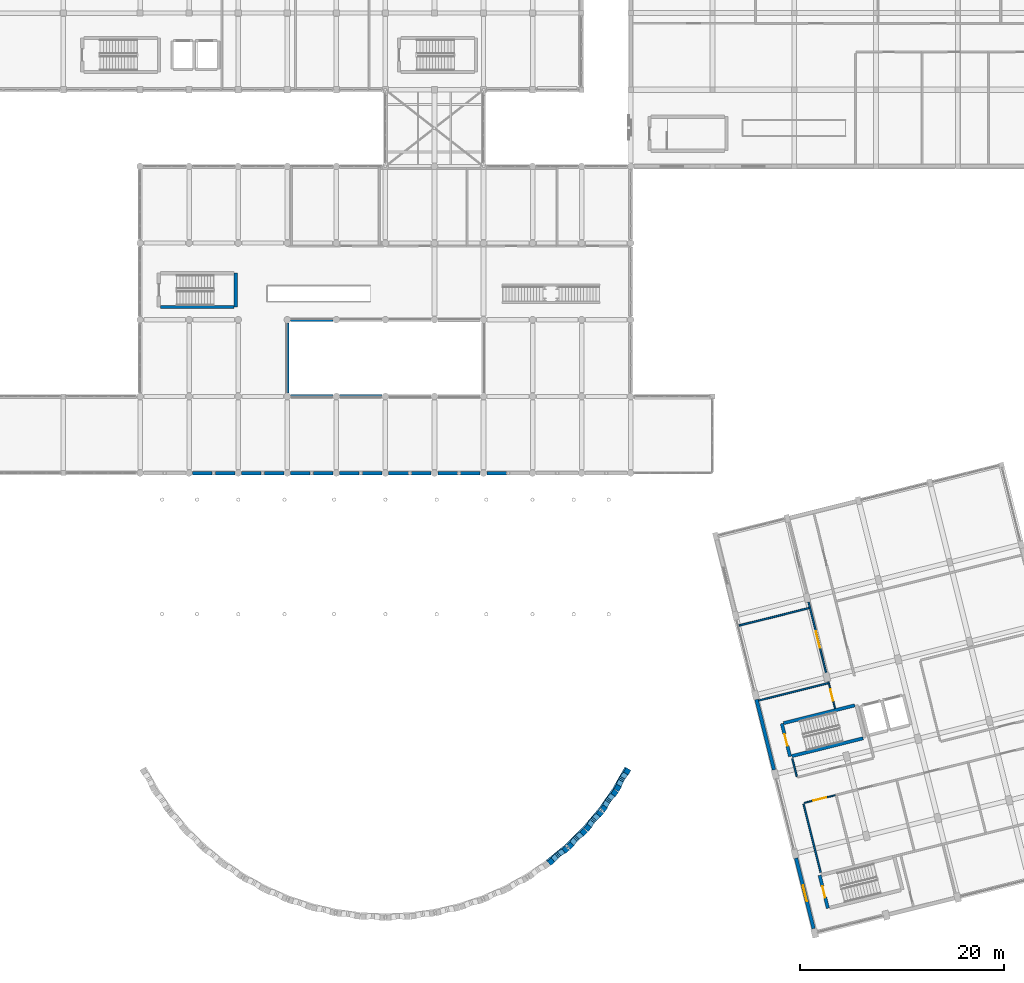
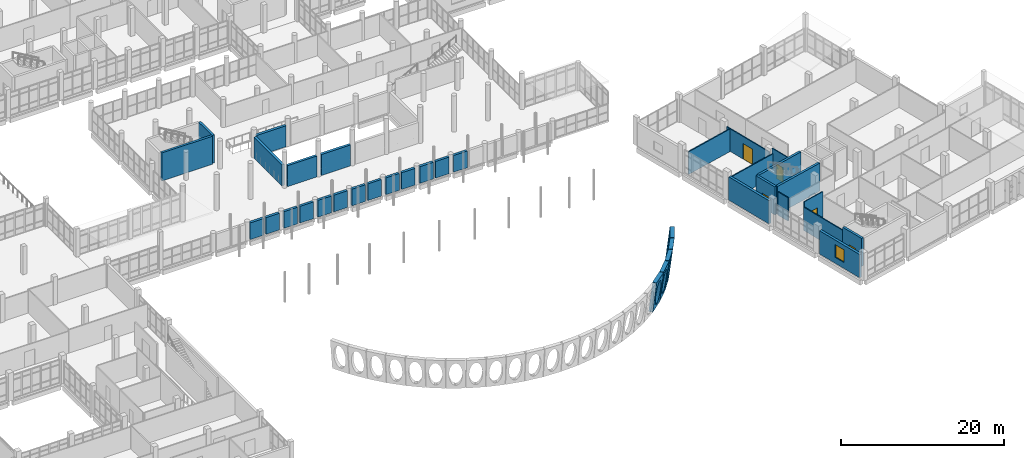
# One storey, part 142 of 164: 37 walls, 5 doors, 1 window, 11 openings.
"""IFC4 building model written with IfcOpenShell, lengths in metres."""

import ifcopenshell
import ifcopenshell.guid

model = None  # the IFC model being written
_history = None  # IfcOwnerHistory: only IFC2X3 demands one
_inside = {}  # id of a spatial element -> (the spatial element, [elements in it])
_under = {}  # id of a project, library or spatial element -> (it, [spatial elements below it])
_declared = {}  # id of a project -> (the project, [libraries it declares])
_typed = {}  # id of a type object -> (the type object, [elements of that type])
_made_of = {}  # id of a material, layer set ... -> (it, [elements and type objects made of it])


def new_model(schema):
    """Start an empty IFC model of exactly this schema.

    Asked for "IFC4X3", IfcOpenShell would pick the latest addendum, in which some entities
    have other attributes; the version numbers below select the first issue.
    IFC2X3 requires an IfcOwnerHistory on every rooted entity: one is made here for all.
    """
    global model, _history
    if schema == "IFC4X3":
        model = ifcopenshell.file(schema_version=(4, 3, 0, 0))
    else:
        model = ifcopenshell.file(schema=schema)
    _inside.clear()
    _under.clear()
    _declared.clear()
    _typed.clear()
    _made_of.clear()
    _history = None
    if model.schema == "IFC2X3":
        org = make("IfcOrganization", Name="unknown")
        user = make(
            "IfcPersonAndOrganization",
            ThePerson=make("IfcPerson", FamilyName="unknown"),
            TheOrganization=org,
        )
        app = make(
            "IfcApplication",
            ApplicationDeveloper=org,
            Version="unknown",
            ApplicationFullName="unknown",
            ApplicationIdentifier="unknown",
        )
        _history = make(
            "IfcOwnerHistory",
            OwningUser=user,
            OwningApplication=app,
            ChangeAction="ADDED",
            CreationDate=0,
        )
    return model


def make(cls, **values):
    """One entity of the class cls with the attributes given. An attribute that is None is left unset."""
    return model.create_entity(
        cls, **{name: value for name, value in values.items() if value is not None}
    )


def rooted(cls, **values):
    """An entity with a GlobalId (a new one), such as an element, a storey or a relation."""
    return make(cls, GlobalId=ifcopenshell.guid.new(), OwnerHistory=_history, **values)


def si_unit(unit_type, name, prefix=None):
    """IfcSIUnit, for example si_unit("LENGTHUNIT", "METRE", prefix="MILLI")."""
    return make("IfcSIUnit", UnitType=unit_type, Prefix=prefix, Name=name)


def assignment(units):
    """IfcUnitAssignment: the units of a project."""
    return None if units is None else make("IfcUnitAssignment", Units=units)


def point(xyz):
    """IfcCartesianPoint."""
    return None if xyz is None else make("IfcCartesianPoint", Coordinates=xyz)


def direction(xyz):
    """IfcDirection."""
    return None if xyz is None else make("IfcDirection", DirectionRatios=xyz)


def frame(location, z_axis=None, x_axis=None):
    """IfcAxis2Placement3D, a coordinate frame: its origin and axes. An axis left out is left unset."""
    return make(
        "IfcAxis2Placement3D",
        Location=point(location),
        Axis=direction(z_axis),
        RefDirection=direction(x_axis),
    )


def frame_2d(location, x_axis=None):
    """IfcAxis2Placement2D, a coordinate frame in the plane: its origin and x axis."""
    return make(
        "IfcAxis2Placement2D", Location=point(location), RefDirection=direction(x_axis)
    )


def origin():
    """The frame at (0, 0, 0) with its axes left unset."""
    return frame((0.0, 0.0, 0.0))


def place(relative_to, where):
    """IfcLocalPlacement: puts the frame where relative to a parent placement (None: the world)."""
    return make(
        "IfcLocalPlacement", PlacementRelTo=relative_to, RelativePlacement=where
    )


def context(
    kind, dimensions, precision=None, world=None, true_north=None, identifier=None
):
    """IfcGeometricRepresentationContext, for example the 3D "Model" context."""
    return make(
        "IfcGeometricRepresentationContext",
        ContextIdentifier=identifier,
        ContextType=kind,
        CoordinateSpaceDimension=dimensions,
        Precision=precision,
        WorldCoordinateSystem=world,
        TrueNorth=true_north,
    )


def subcontext(parent, identifier, kind, view, scale=None):
    """IfcGeometricRepresentationSubContext, for example "Body" below "Model"."""
    return make(
        "IfcGeometricRepresentationSubContext",
        ContextIdentifier=identifier,
        ContextType=kind,
        ParentContext=parent,
        TargetScale=scale,
        TargetView=view,
    )


def project(units=None, contexts=None):
    """IfcProject with its units and contexts."""
    return rooted(
        "IfcProject",
        Name="project",
        RepresentationContexts=contexts,
        UnitsInContext=assignment(units),
    )


def spatial(cls, under=None, at=None, **own):
    """A site, building, storey or space (cls), placed at a placement, below another one or the project."""
    s = rooted(cls, ObjectPlacement=at, **own)
    if under is not None:
        _under.setdefault(under.id(), (under, []))[1].append(s)
    return s


def polyline(points):
    """IfcPolyline through the points."""
    return make("IfcPolyline", Points=[point(p) for p in points])


def profile(cls, at=None, kind="AREA", **sizes):
    """A parametric profile (cls). Its sizes go by their IFC names, for example OverallWidth=200.0."""
    return make(cls, ProfileType=kind, Position=at, **sizes)


def rectangle(**sizes):
    """IfcRectangleProfileDef."""
    return profile("IfcRectangleProfileDef", **sizes)


def outline(outer, holes=None, kind="AREA"):
    """IfcArbitraryClosedProfileDef: a profile drawn as a closed curve; with holes, ...WithVoids."""
    if holes is None:
        return make("IfcArbitraryClosedProfileDef", ProfileType=kind, OuterCurve=outer)
    return make(
        "IfcArbitraryProfileDefWithVoids",
        ProfileType=kind,
        OuterCurve=outer,
        InnerCurves=holes,
    )


def extrude(swept, where, along, depth):
    """IfcExtrudedAreaSolid: the profile swept, set in the frame where, extruded along a direction by depth."""
    return make(
        "IfcExtrudedAreaSolid",
        SweptArea=swept,
        Position=where,
        ExtrudedDirection=direction(along),
        Depth=depth,
    )


def shape(context_of_items, identifier, shape_type, items):
    """IfcShapeRepresentation: the items that make up one representation, for example the "Body"."""
    return make(
        "IfcShapeRepresentation",
        ContextOfItems=context_of_items,
        RepresentationIdentifier=identifier,
        RepresentationType=shape_type,
        Items=items,
    )


def material(Name=None, Category=None):
    """IfcMaterial."""
    return make("IfcMaterial", Name=Name, Category=Category)


def layer(
    of_material, thickness, ventilated=None, Name=None, Category=None, Priority=None
):
    """IfcMaterialLayer: one layer of a wall or slab, of a material (None: an air gap)."""
    return make(
        "IfcMaterialLayer",
        Material=of_material,
        LayerThickness=thickness,
        IsVentilated=ventilated,
        Name=Name,
        Category=Category,
        Priority=Priority,
    )


def layer_set(layers, Name=None):
    """IfcMaterialLayerSet."""
    return make("IfcMaterialLayerSet", MaterialLayers=layers, LayerSetName=Name)


def made_of(thing, what):
    """Note that an element or type object is made of a material, layer set ...; save() writes the relation."""
    if what is not None:
        _made_of.setdefault(what.id(), (what, []))[1].append(thing)
    return thing


def type_object(cls, material=None, **own):
    """A type object (cls), such as IfcWallType, which elements share."""
    return made_of(rooted(cls, **own), material)


def element(
    cls,
    number,
    at=None,
    inside=None,
    cuts=None,
    type_object=None,
    material=None,
    context=None,
    identifier="Body",
    shape_type=None,
    held_by="IfcProductDefinitionShape",
    body=None,
    shapes=None,
    **own,
):
    """One element of the class cls, such as IfcWall. Its Tag is "e" and its number.

    at: its placement. inside: the storey or other place that contains it. cuts: it is an
    opening in that element (IfcRelVoidsElement). A single representation is given by context,
    identifier, shape_type and body (its items); several are given by shapes. held_by: the class
    of the entity that holds the representations. save() writes the other relations.
    """
    e = rooted(cls, Tag="e%d" % number, ObjectPlacement=at, **own)
    if body is not None:
        shapes = [shape(context, identifier, shape_type, body)]
    if shapes is not None:
        e.Representation = make(held_by, Representations=shapes)
    if inside is not None:
        _inside.setdefault(inside.id(), (inside, []))[1].append(e)
    if cuts is not None:
        rooted(
            "IfcRelVoidsElement", RelatingBuildingElement=cuts, RelatedOpeningElement=e
        )
    if type_object is not None:
        _typed.setdefault(type_object.id(), (type_object, []))[1].append(e)
    return made_of(e, material)


def fill(opening, filler):
    """IfcRelFillsElement: the door or window that sits in an opening."""
    return rooted(
        "IfcRelFillsElement",
        RelatingOpeningElement=opening,
        RelatedBuildingElement=filler,
    )


def aggregate(whole, parts):
    """IfcRelAggregates: a whole, such as a stair, and the parts it consists of."""
    return rooted("IfcRelAggregates", RelatingObject=whole, RelatedObjects=parts)


def save(model, path):
    """Write the relations noted so far, then the file.

    IfcRelAggregates (storeys below a building ...), IfcRelContainedInSpatialStructure (elements
    in a storey), IfcRelDefinesByType, IfcRelAssociatesMaterial and IfcRelDeclares: one each for
    every whole, place, type object, material and project.
    """
    for whole, parts in _under.values():
        aggregate(whole, parts)
    for where, things in _inside.values():
        rooted(
            "IfcRelContainedInSpatialStructure",
            RelatedElements=things,
            RelatingStructure=where,
        )
    for kind, things in _typed.values():
        rooted("IfcRelDefinesByType", RelatedObjects=things, RelatingType=kind)
    for what, things in _made_of.values():
        rooted("IfcRelAssociatesMaterial", RelatedObjects=things, RelatingMaterial=what)
    for by, libraries in _declared.values():
        rooted("IfcRelDeclares", RelatingContext=by, RelatedDefinitions=libraries)
    model.write(path)


model = new_model("IFC4")

# Units and contexts
model_context = context("Model", 3, precision=1e-05, world=origin(), true_north=direction((0.0, 1.0)))
body_context = subcontext(model_context, "Body", "Model", "MODEL_VIEW")
ifc_project = project(units=[si_unit("LENGTHUNIT", "METRE"), si_unit("AREAUNIT", "SQUARE_METRE"), si_unit("VOLUMEUNIT", "CUBIC_METRE"), si_unit("PLANEANGLEUNIT", "RADIAN"), si_unit("MASSUNIT", "GRAM", prefix="KILO")], contexts=[model_context])

# Site, building, storey
site_placement = place(None, origin())
site = spatial("IfcSite", under=ifc_project, at=site_placement, CompositionType="ELEMENT")
building_placement = place(site_placement, origin())
building = spatial("IfcBuilding", under=site, at=building_placement, Name="Mawjan Specialist Oncology Clinic", CompositionType="ELEMENT")
storey_placement = place(building_placement, frame((0.0, 0.0, 5.0)))
storey = spatial("IfcBuildingStorey", under=building, at=storey_placement, Name="L01", CompositionType="ELEMENT", Elevation=5.0)

# Wall, opening, window
ifc_material_1 = material(Name="Precast concrete C40/50", Category="concrete")
ifc_layer_1 = layer(ifc_material_1, 0.35009765625, Name="Precast concrete C40/50", Category="concrete")
ifc_layer_set_1 = layer_set([ifc_layer_1], Name="Precast concrete C40/50")
wall_type_1 = type_object("IfcWallType", Name="EW-350", PredefinedType="SOLIDWALL", material=ifc_layer_set_1)
wall_1_placement = place(storey_placement, frame((125.89111328125, 1.236572265625, 0.0), z_axis=(0.0, 0.0, 1.0), x_axis=(-0.241904492141, 0.97030006528, 0.0)))
wall_1 = element("IfcWall", 1, at=wall_1_placement, inside=storey, type_object=wall_type_1, Name="L01 Coral-Limestone Exterior Wall EW-L01-077", PredefinedType="SOLIDWALL", context=body_context, shape_type="SweptSolid", body=[
    extrude(rectangle(XDim=7.10009765625, YDim=0.35009765625, at=frame_2d((3.550048828125, 0.0))), origin(), (0.0, 0.0, 1.0), 3.485107421875),
])
opening_1_placement = place(wall_1_placement, frame((2.75, 0.0, 0.89990234375)))
opening_1 = element("IfcOpeningElement", 2, at=opening_1_placement, cuts=wall_1, Name="Opening WN-20", PredefinedType="OPENING", context=body_context, shape_type="SweptSolid", body=[
    extrude(rectangle(XDim=1.60009765625, YDim=1.89990234375, at=frame_2d((0.800048828125, 0.949951171875))), frame((0.0, 0.18701171875, 0.0), z_axis=(0.0, -1.0, 0.0), x_axis=(1.0, 0.0, 0.0)), (0.0, 0.0, 1.0), 0.3740234375),
])
ifc_material_2 = material(Name="Thermally broken low-E clinical aluminium window", Category="aluminium")
window_type = type_object("IfcWindowType", Name="WN-20", PartitioningType="DOUBLE_PANEL_VERTICAL", PredefinedType="WINDOW", material=ifc_material_2)
window_placement = place(opening_1_placement, origin())
window = element("IfcWindow", 3, at=window_placement, inside=storey, type_object=window_type, Name="L01 Clinical Low-E Window 012", OverallHeight=1.89990234375, OverallWidth=1.60009765625, PartitioningType="DOUBLE_PANEL_VERTICAL", PredefinedType="WINDOW", context=body_context, shape_type="SweptSolid", body=[
    extrude(rectangle(XDim=1.60009765625, YDim=1.89990234375, at=frame_2d((0.800048828125, 0.949951171875))), frame((0.0, 0.030029296875, 0.0), z_axis=(0.0, -1.0, 0.0), x_axis=(1.0, 0.0, 0.0)), (0.0, 0.0, 1.0), 0.06005859375),
])
fill(opening_1, window)

# Walls
wall_2_placement = place(storey_placement, frame((122.020263671875, 16.761474609375, 0.0), z_axis=(0.0, 0.0, 1.0), x_axis=(-0.241912563448, 0.970298052995, 0.0)))
element("IfcWall", 4, at=wall_2_placement, inside=storey, type_object=wall_type_1, Name="L01 Coral-Limestone Exterior Wall EW-L01-078", PredefinedType="SOLIDWALL", context=body_context, shape_type="SweptSolid", body=[
    extrude(rectangle(XDim=7.099853515625, YDim=0.35009765625, at=frame_2d((3.5498046875, 0.0))), origin(), (0.0, 0.0, 1.0), 3.485107421875),
])
for number, where, z_axis, x_axis, name in (
    (5, (95.837890625, 45.800048828125, 0.0), (0.0, 0.0, 1.0), (-1.0, 0.0, 0.0), "L01 Coral-Limestone Exterior Wall EW-L01-096"),
    (6, (93.27490234375, 45.800048828125, 0.0), (0.0, 0.0, 1.0), (-1.0, 0.0, 0.0), "L01 Coral-Limestone Exterior Wall EW-L01-097"),
):
    element("IfcWall", number, at=place(storey_placement, frame(where, z_axis=z_axis, x_axis=x_axis)), inside=storey, type_object=wall_type_1, Name=name, PredefinedType="SOLIDWALL", context=body_context, shape_type="SweptSolid", body=[
        extrude(rectangle(XDim=1.912841796875, YDim=0.35009765625, at=frame_2d((0.95654296875, 0.0))), origin(), (0.0, 0.0, 1.0), 2.5),
    ])
for number, where, z_axis, x_axis, name in (
    (7, (91.0380859375, 45.800048828125, 0.0), (0.0, 0.0, 1.0), (-1.0, 0.0, 0.0), "L01 Coral-Limestone Exterior Wall EW-L01-098"),
    (8, (88.47509765625, 45.800048828125, 0.0), (0.0, 0.0, 1.0), (-1.0, 0.0, 0.0), "L01 Coral-Limestone Exterior Wall EW-L01-099"),
    (9, (86.238037109375, 45.800048828125, 0.0), (0.0, 0.0, 1.0), (-1.0, 0.0, 0.0), "L01 Coral-Limestone Exterior Wall EW-L01-100"),
    (10, (83.675048828125, 45.800048828125, 0.0), (0.0, 0.0, 1.0), (-1.0, 0.0, 0.0), "L01 Coral-Limestone Exterior Wall EW-L01-101"),
    (11, (81.43798828125, 45.800048828125, 0.0), (0.0, 0.0, 1.0), (-1.0, 0.0, 0.0), "L01 Coral-Limestone Exterior Wall EW-L01-102"),
    (12, (78.875, 45.800048828125, 0.0), (0.0, 0.0, 1.0), (-1.0, 0.0, 0.0), "L01 Coral-Limestone Exterior Wall EW-L01-103"),
):
    element("IfcWall", number, at=place(storey_placement, frame(where, z_axis=z_axis, x_axis=x_axis)), inside=storey, type_object=wall_type_1, Name=name, PredefinedType="SOLIDWALL", context=body_context, shape_type="SweptSolid", body=[
        extrude(rectangle(XDim=1.9130859375, YDim=0.35009765625, at=frame_2d((0.95654296875, 0.0))), origin(), (0.0, 0.0, 1.0), 2.5),
    ])
wall_3_placement = place(storey_placement, frame((76.637939453125, 45.800048828125, 0.0), z_axis=(0.0, 0.0, 1.0), x_axis=(-1.0, 0.0, 0.0)))
element("IfcWall", 13, at=wall_3_placement, inside=storey, type_object=wall_type_1, Name="L01 Coral-Limestone Exterior Wall EW-L01-104", PredefinedType="SOLIDWALL", context=body_context, shape_type="SweptSolid", body=[
    extrude(rectangle(XDim=1.912841796875, YDim=0.35009765625, at=frame_2d((0.95654296875, 0.0))), origin(), (0.0, 0.0, 1.0), 2.5),
])
for number, where, z_axis, x_axis, name in (
    (14, (74.074951171875, 45.800048828125, 0.0), (0.0, 0.0, 1.0), (-1.0, 0.0, 0.0), "L01 Coral-Limestone Exterior Wall EW-L01-105"),
    (15, (71.838134765625, 45.800048828125, 0.0), (0.0, 0.0, 1.0), (-1.0, 0.0, 0.0), "L01 Coral-Limestone Exterior Wall EW-L01-106"),
):
    element("IfcWall", number, at=place(storey_placement, frame(where, z_axis=z_axis, x_axis=x_axis)), inside=storey, type_object=wall_type_1, Name=name, PredefinedType="SOLIDWALL", context=body_context, shape_type="SweptSolid", body=[
        extrude(rectangle(XDim=1.9130859375, YDim=0.35009765625, at=frame_2d((0.95654296875, 0.0))), origin(), (0.0, 0.0, 1.0), 2.5),
    ])
wall_4_placement = place(storey_placement, frame((69.27490234375, 45.800048828125, 0.0), z_axis=(0.0, 0.0, 1.0), x_axis=(-1.0, 0.0, 0.0)))
element("IfcWall", 16, at=wall_4_placement, inside=storey, type_object=wall_type_1, Name="L01 Coral-Limestone Exterior Wall EW-L01-107", PredefinedType="SOLIDWALL", context=body_context, shape_type="SweptSolid", body=[
    extrude(rectangle(XDim=1.912841796875, YDim=0.35009765625, at=frame_2d((0.95654296875, 0.0))), origin(), (0.0, 0.0, 1.0), 2.5),
])
wall_5_placement = place(storey_placement, frame((67.0380859375, 45.800048828125, 0.0), z_axis=(0.0, 0.0, 1.0), x_axis=(-1.0, 0.0, 0.0)))
element("IfcWall", 17, at=wall_5_placement, inside=storey, type_object=wall_type_1, Name="L01 Coral-Limestone Exterior Wall EW-L01-108", PredefinedType="SOLIDWALL", context=body_context, shape_type="SweptSolid", body=[
    extrude(rectangle(XDim=1.9130859375, YDim=0.35009765625, at=frame_2d((0.95654296875, 0.0))), origin(), (0.0, 0.0, 1.0), 2.5),
])
wall_6_placement = place(storey_placement, frame((74.39990234375, 60.47509765625, 0.0), z_axis=(0.0, 0.0, 1.0), x_axis=(0.0, -1.0, 0.0)))
element("IfcWall", 18, at=wall_6_placement, inside=storey, type_object=wall_type_1, Name="L01 Coral-Limestone Exterior Wall EW-L01-120", PredefinedType="SOLIDWALL", context=body_context, shape_type="SweptSolid", body=[
    extrude(rectangle(XDim=6.85009765625, YDim=0.35009765625, at=frame_2d((3.425048828125, 0.0))), origin(), (0.0, 0.0, 1.0), 3.139892578125),
])
wall_7_placement = place(storey_placement, frame((74.72509765625, 53.300048828125, 0.0), z_axis=(0.0, 0.0, 1.0), x_axis=(1.0, 0.0, 0.0)))
element("IfcWall", 19, at=wall_7_placement, inside=storey, type_object=wall_type_1, Name="L01 Coral-Limestone Exterior Wall EW-L01-121", PredefinedType="SOLIDWALL", context=body_context, shape_type="SweptSolid", body=[
    extrude(rectangle(XDim=4.14990234375, YDim=0.35009765625, at=frame_2d((2.074951171875, 0.0))), origin(), (0.0, 0.0, 1.0), 3.139892578125),
])
wall_8_placement = place(storey_placement, frame((79.52490234375, 53.300048828125, 0.0), z_axis=(0.0, 0.0, 1.0), x_axis=(1.0, 0.0, 0.0)))
element("IfcWall", 20, at=wall_8_placement, inside=storey, type_object=wall_type_1, Name="L01 Coral-Limestone Exterior Wall EW-L01-122", PredefinedType="SOLIDWALL", context=body_context, shape_type="SweptSolid", body=[
    extrude(rectangle(XDim=4.150146484375, YDim=0.35009765625, at=frame_2d((2.0751953125, 0.0))), origin(), (0.0, 0.0, 1.0), 3.139892578125),
])
wall_9_placement = place(storey_placement, frame((78.875, 60.800048828125, 0.0), z_axis=(0.0, 0.0, 1.0), x_axis=(-1.0, 0.0, 0.0)))
element("IfcWall", 21, at=wall_9_placement, inside=storey, type_object=wall_type_1, Name="L01 Coral-Limestone Exterior Wall EW-L01-129", PredefinedType="SOLIDWALL", context=body_context, shape_type="SweptSolid", body=[
    extrude(rectangle(XDim=4.14990234375, YDim=0.35009765625, at=frame_2d((2.074951171875, 0.0))), origin(), (0.0, 0.0, 1.0), 3.139892578125),
])

# Wall, opening
ifc_material_3 = material(Name="Concrete C45/55", Category="concrete")
ifc_layer_2 = layer(ifc_material_3, 0.550048828125, Name="Concrete C45/55", Category="concrete")
ifc_layer_set_2 = layer_set([ifc_layer_2], Name="Concrete C45/55")
wall_type_2 = type_object("IfcWallType", Name="EW-ARC550", PredefinedType="SOLIDWALL", material=ifc_layer_set_2)
wall_10_placement = place(storey_placement, frame((101.76708984375, 9.245361328125, 0.0), z_axis=(0.0, 0.0, 1.0), x_axis=(-0.77301973123, -0.634381978881, 0.0)))
wall_10 = element("IfcWall", 22, at=wall_10_placement, inside=storey, type_object=wall_type_2, Name="Curved Stone-Arc Wall L01 Chord 20", PredefinedType="SOLIDWALL", context=body_context, shape_type="SweptSolid", body=[
    extrude(outline(polyline([(-0.27490234375, 0.0), (0.27490234375, 0.0), (0.78759765625, 4.5), (0.23779296875, 4.5), (-0.27490234375, 0.0)])), frame((0.0, 0.0, 0.0), z_axis=(1.0, 0.0, 0.0), x_axis=(0.0, 1.0, 0.0)), (0.0, 0.0, 1.0), 2.40380859375),
])
opening_2_placement = place(wall_10_placement, origin())
element("IfcOpeningElement", 23, at=opening_2_placement, cuts=wall_10, Name="Elliptical sky opening 1", PredefinedType="OPENING", context=body_context, shape_type="SweptSolid", body=[
    extrude(outline(polyline([(2.0419921875, 2.25), (2.02587890625, 2.597900390625), (1.97802734375, 2.932373046875), (1.900390625, 3.240478515625), (1.7958984375, 3.5107421875), (1.66845703125, 3.732421875), (1.5234375, 3.897216796875), (1.36572265625, 3.998779296875), (1.201904296875, 4.032958984375), (1.0380859375, 3.998779296875), (0.88037109375, 3.897216796875), (0.735107421875, 3.732421875), (0.60791015625, 3.5107421875), (0.50341796875, 3.240478515625), (0.42578125, 2.932373046875), (0.3779296875, 2.597900390625), (0.36181640625, 2.25), (0.3779296875, 1.902099609375), (0.42578125, 1.567626953125), (0.50341796875, 1.259521484375), (0.60791015625, 0.9892578125), (0.735107421875, 0.767578125), (0.88037109375, 0.602783203125), (1.0380859375, 0.501220703125), (1.201904296875, 0.467041015625), (1.36572265625, 0.501220703125), (1.5234375, 0.602783203125), (1.66845703125, 0.767578125), (1.7958984375, 0.9892578125), (1.900390625, 1.259521484375), (1.97802734375, 1.567626953125), (2.02587890625, 1.902099609375), (2.0419921875, 2.25)])), frame((0.0, 0.8076171875, 0.0), z_axis=(0.0, -1.0, 0.0), x_axis=(1.0, 0.0, 0.0)), (0.0, 0.0, 1.0), 1.102783203125),
])

wall_11_placement = place(storey_placement, frame((103.5, 10.953857421875, 0.0), z_axis=(0.0, 0.0, 1.0), x_axis=(-0.711713192598, -0.702470164122, 0.0)))
wall_11 = element("IfcWall", 24, at=wall_11_placement, inside=storey, type_object=wall_type_2, Name="Curved Stone-Arc Wall L01 Chord 21", PredefinedType="SOLIDWALL", context=body_context, shape_type="SweptSolid", body=[
    extrude(outline(polyline([(-0.27490234375, 0.0), (0.27490234375, 0.0), (0.78759765625, 4.5), (0.23779296875, 4.5), (-0.27490234375, 0.0)])), frame((0.0, 0.0, 0.0), z_axis=(1.0, 0.0, 0.0), x_axis=(0.0, 1.0, 0.0)), (0.0, 0.0, 1.0), 2.403564453125),
])
opening_3_placement = place(wall_11_placement, origin())
element("IfcOpeningElement", 25, at=opening_3_placement, cuts=wall_11, Name="Elliptical sky opening 1", PredefinedType="OPENING", context=body_context, shape_type="SweptSolid", body=[
    extrude(outline(polyline([(2.0419921875, 2.25), (2.02587890625, 2.597900390625), (1.97802734375, 2.932373046875), (1.900390625, 3.240478515625), (1.7958984375, 3.5107421875), (1.66845703125, 3.732421875), (1.5234375, 3.897216796875), (1.36572265625, 3.998779296875), (1.201904296875, 4.032958984375), (1.0380859375, 3.998779296875), (0.88037109375, 3.897216796875), (0.735107421875, 3.732421875), (0.60791015625, 3.5107421875), (0.50341796875, 3.240478515625), (0.42578125, 2.932373046875), (0.3779296875, 2.597900390625), (0.36181640625, 2.25), (0.3779296875, 1.902099609375), (0.42578125, 1.567626953125), (0.50341796875, 1.259521484375), (0.60791015625, 0.9892578125), (0.735107421875, 0.767578125), (0.88037109375, 0.602783203125), (1.0380859375, 0.501220703125), (1.201904296875, 0.467041015625), (1.36572265625, 0.501220703125), (1.5234375, 0.602783203125), (1.66845703125, 0.767578125), (1.7958984375, 0.9892578125), (1.900390625, 1.259521484375), (1.97802734375, 1.567626953125), (2.02587890625, 1.902099609375), (2.0419921875, 2.25)])), frame((0.0, 0.8076171875, 0.0), z_axis=(0.0, -1.0, 0.0), x_axis=(1.0, 0.0, 0.0)), (0.0, 0.0, 1.0), 1.102783203125),
])

wall_12_placement = place(storey_placement, frame((105.069580078125, 12.81396484375, 0.0), z_axis=(0.0, 0.0, 1.0), x_axis=(-0.644529738011, -0.764579241687, 0.0)))
wall_12 = element("IfcWall", 26, at=wall_12_placement, inside=storey, type_object=wall_type_2, Name="Curved Stone-Arc Wall L01 Chord 22", PredefinedType="SOLIDWALL", context=body_context, shape_type="SweptSolid", body=[
    extrude(outline(polyline([(-0.27490234375, 0.0), (0.27490234375, 0.0), (0.78759765625, 4.5), (0.23779296875, 4.5), (-0.27490234375, 0.0)])), frame((0.0, 0.0, 0.0), z_axis=(1.0, 0.0, 0.0), x_axis=(0.0, 1.0, 0.0)), (0.0, 0.0, 1.0), 2.40380859375),
])
opening_4_placement = place(wall_12_placement, origin())
element("IfcOpeningElement", 27, at=opening_4_placement, cuts=wall_12, Name="Elliptical sky opening 1", PredefinedType="OPENING", context=body_context, shape_type="SweptSolid", body=[
    extrude(outline(polyline([(2.0419921875, 2.25), (2.02587890625, 2.597900390625), (1.97802734375, 2.932373046875), (1.900390625, 3.240478515625), (1.7958984375, 3.5107421875), (1.66845703125, 3.732421875), (1.5234375, 3.897216796875), (1.36572265625, 3.998779296875), (1.201904296875, 4.032958984375), (1.0380859375, 3.998779296875), (0.88037109375, 3.897216796875), (0.735107421875, 3.732421875), (0.60791015625, 3.5107421875), (0.50341796875, 3.240478515625), (0.42578125, 2.932373046875), (0.3779296875, 2.597900390625), (0.36181640625, 2.25), (0.3779296875, 1.902099609375), (0.42578125, 1.567626953125), (0.50341796875, 1.259521484375), (0.60791015625, 0.9892578125), (0.735107421875, 0.767578125), (0.88037109375, 0.602783203125), (1.0380859375, 0.501220703125), (1.201904296875, 0.467041015625), (1.36572265625, 0.501220703125), (1.5234375, 0.602783203125), (1.66845703125, 0.767578125), (1.7958984375, 0.9892578125), (1.900390625, 1.259521484375), (1.97802734375, 1.567626953125), (2.02587890625, 1.902099609375), (2.0419921875, 2.25)])), frame((0.0, 0.8076171875, 0.0), z_axis=(0.0, -1.0, 0.0), x_axis=(1.0, 0.0, 0.0)), (0.0, 0.0, 1.0), 1.102783203125),
])

wall_13_placement = place(storey_placement, frame((106.462158203125, 14.809814453125, 0.0), z_axis=(0.0, 0.0, 1.0), x_axis=(-0.571784376148, -0.820403941478, 0.0)))
wall_13 = element("IfcWall", 28, at=wall_13_placement, inside=storey, type_object=wall_type_2, Name="Curved Stone-Arc Wall L01 Chord 23", PredefinedType="SOLIDWALL", context=body_context, shape_type="SweptSolid", body=[
    extrude(outline(polyline([(-0.27490234375, 0.0), (0.27490234375, 0.0), (0.78759765625, 4.5), (0.23779296875, 4.5), (-0.27490234375, 0.0)])), frame((0.0, 0.0, 0.0), z_axis=(1.0, 0.0, 0.0), x_axis=(0.0, 1.0, 0.0)), (0.0, 0.0, 1.0), 2.40380859375),
])
opening_5_placement = place(wall_13_placement, origin())
element("IfcOpeningElement", 29, at=opening_5_placement, cuts=wall_13, Name="Elliptical sky opening 1", PredefinedType="OPENING", context=body_context, shape_type="SweptSolid", body=[
    extrude(outline(polyline([(2.0419921875, 2.25), (2.02587890625, 2.597900390625), (1.97802734375, 2.932373046875), (1.900390625, 3.240478515625), (1.7958984375, 3.5107421875), (1.66845703125, 3.732421875), (1.5234375, 3.897216796875), (1.36572265625, 3.998779296875), (1.201904296875, 4.032958984375), (1.0380859375, 3.998779296875), (0.88037109375, 3.897216796875), (0.735107421875, 3.732421875), (0.60791015625, 3.5107421875), (0.50341796875, 3.240478515625), (0.42578125, 2.932373046875), (0.3779296875, 2.597900390625), (0.36181640625, 2.25), (0.3779296875, 1.902099609375), (0.42578125, 1.567626953125), (0.50341796875, 1.259521484375), (0.60791015625, 0.9892578125), (0.735107421875, 0.767578125), (0.88037109375, 0.602783203125), (1.0380859375, 0.501220703125), (1.201904296875, 0.467041015625), (1.36572265625, 0.501220703125), (1.5234375, 0.602783203125), (1.66845703125, 0.767578125), (1.7958984375, 0.9892578125), (1.900390625, 1.259521484375), (1.97802734375, 1.567626953125), (2.02587890625, 1.902099609375), (2.0419921875, 2.25)])), frame((0.0, 0.8076171875, 0.0), z_axis=(0.0, -1.0, 0.0), x_axis=(1.0, 0.0, 0.0)), (0.0, 0.0, 1.0), 1.102783203125),
])

wall_14_placement = place(storey_placement, frame((107.666259765625, 16.924560546875, 0.0), z_axis=(0.0, 0.0, 1.0), x_axis=(-0.494311253671, -0.869284984625, 0.0)))
wall_14 = element("IfcWall", 30, at=wall_14_placement, inside=storey, type_object=wall_type_2, Name="Curved Stone-Arc Wall L01 Chord 24", PredefinedType="SOLIDWALL", context=body_context, shape_type="SweptSolid", body=[
    extrude(outline(polyline([(-0.27490234375, 0.0), (0.27490234375, 0.0), (0.78759765625, 4.5), (0.23779296875, 4.5), (-0.27490234375, 0.0)])), frame((0.0, 0.0, 0.0), z_axis=(1.0, 0.0, 0.0), x_axis=(0.0, 1.0, 0.0)), (0.0, 0.0, 1.0), 2.40380859375),
])
opening_6_placement = place(wall_14_placement, origin())
element("IfcOpeningElement", 31, at=opening_6_placement, cuts=wall_14, Name="Elliptical sky opening 1", PredefinedType="OPENING", context=body_context, shape_type="SweptSolid", body=[
    extrude(outline(polyline([(2.0419921875, 2.25), (2.02587890625, 2.597900390625), (1.97802734375, 2.932373046875), (1.900390625, 3.240478515625), (1.7958984375, 3.5107421875), (1.66845703125, 3.732421875), (1.5234375, 3.897216796875), (1.36572265625, 3.998779296875), (1.201904296875, 4.032958984375), (1.0380859375, 3.998779296875), (0.88037109375, 3.897216796875), (0.735107421875, 3.732421875), (0.60791015625, 3.5107421875), (0.50341796875, 3.240478515625), (0.42578125, 2.932373046875), (0.3779296875, 2.597900390625), (0.36181640625, 2.25), (0.3779296875, 1.902099609375), (0.42578125, 1.567626953125), (0.50341796875, 1.259521484375), (0.60791015625, 0.9892578125), (0.735107421875, 0.767578125), (0.88037109375, 0.602783203125), (1.0380859375, 0.501220703125), (1.201904296875, 0.467041015625), (1.36572265625, 0.501220703125), (1.5234375, 0.602783203125), (1.66845703125, 0.767578125), (1.7958984375, 0.9892578125), (1.900390625, 1.259521484375), (1.97802734375, 1.567626953125), (2.02587890625, 1.902099609375), (2.0419921875, 2.25)])), frame((0.0, 0.8076171875, 0.0), z_axis=(0.0, -1.0, 0.0), x_axis=(1.0, 0.0, 0.0)), (0.0, 0.0, 1.0), 1.102783203125),
])

# Walls
ifc_material_4 = material(Name="Concrete C45/55", Category="concrete")
ifc_layer_3 = layer(ifc_material_4, 0.320068359375, Name="Concrete C45/55", Category="concrete")
ifc_layer_set_3 = layer_set([ifc_layer_3], Name="Concrete C45/55")
wall_type_3 = type_object("IfcWallType", Name="SW-350", PredefinedType="SHEAR", material=ifc_layer_set_3)
for number, where, z_axis, x_axis, name in (
    (32, (123.75048828125, 18.10986328125, 0.0), (0.0, 0.0, 1.0), (0.970294108333, 0.241928384724, 0.0), "L01 Core K5 Stair Shear Wall 1"),
    (33, (129.923828125, 23.07080078125, 0.0), (0.0, 0.0, 1.0), (-0.970294108333, -0.241928384724, 0.0), "L01 Core K5 Stair Shear Wall 3"),
):
    element("IfcWall", number, at=place(storey_placement, frame(where, z_axis=z_axis, x_axis=x_axis)), inside=storey, type_object=wall_type_3, Name=name, PredefinedType="SHEAR", context=body_context, shape_type="SweptSolid", body=[
        extrude(rectangle(XDim=7.190185546875, YDim=0.320068359375, at=frame_2d((3.59521484375, 0.0))), origin(), (0.0, 0.0, 1.0), 4.199951171875),
    ])

# Wall, opening, door
wall_15_placement = place(storey_placement, frame((122.787353515625, 21.29150390625, 0.0), z_axis=(0.0, 0.0, 1.0), x_axis=(0.241860763027, -0.970310966293, 0.0)))
wall_15 = element("IfcWall", 34, at=wall_15_placement, inside=storey, type_object=wall_type_3, Name="L01 Core K5 Stair Shear Wall 4", PredefinedType="SHEAR", context=body_context, shape_type="SweptSolid", body=[
    extrude(rectangle(XDim=3.320068359375, YDim=0.320068359375, at=frame_2d((1.66015625, 0.0))), origin(), (0.0, 0.0, 1.0), 4.199951171875),
])
opening_7_placement = place(wall_15_placement, frame((1.0849609375, 0.0, 0.0)))
opening_7 = element("IfcOpeningElement", 35, at=opening_7_placement, cuts=wall_15, Name="Opening FD-90", PredefinedType="OPENING", context=body_context, shape_type="SweptSolid", body=[
    extrude(rectangle(XDim=1.14990234375, YDim=2.14990234375, at=frame_2d((0.574951171875, 1.074951171875))), frame((0.0, 0.172119140625, 0.0), z_axis=(0.0, -1.0, 0.0), x_axis=(1.0, 0.0, 0.0)), (0.0, 0.0, 1.0), 0.343994140625),
])
ifc_material_5 = material(Name="Stainless-steel fire-rated hospital door", Category="steel")
door_type_1 = type_object("IfcDoorType", Name="FD-90", OperationType="NOTDEFINED", PredefinedType="DOOR", material=ifc_material_5)
door_1_placement = place(opening_7_placement, origin())
door_1 = element("IfcDoor", 36, at=door_1_placement, inside=storey, type_object=door_type_1, Name="L01 ST-05 Fire Exit Stair Door", OperationType="SINGLE_SWING_RIGHT", OverallHeight=2.14990234375, OverallWidth=1.14990234375, PredefinedType="DOOR", context=body_context, shape_type="SweptSolid", body=[
    extrude(rectangle(XDim=1.14990234375, YDim=2.14990234375, at=frame_2d((0.574951171875, 1.074951171875))), frame((0.0, 0.02490234375, 0.0), z_axis=(0.0, -1.0, 0.0), x_axis=(1.0, 0.0, 0.0)), (0.0, 0.0, 1.0), 0.050048828125),
])
fill(opening_7, door_1)

wall_16_placement = place(storey_placement, frame((126.488525390625, 6.44580078125, 0.0), z_axis=(0.0, 0.0, 1.0), x_axis=(0.241947258837, -0.970289402158, 0.0)))
wall_16 = element("IfcWall", 37, at=wall_16_placement, inside=storey, type_object=wall_type_3, Name="L01 Core K6 Stair Shear Wall 4", PredefinedType="SHEAR", context=body_context, shape_type="SweptSolid", body=[
    extrude(rectangle(XDim=3.31982421875, YDim=0.320068359375, at=frame_2d((1.659912109375, 0.0))), origin(), (0.0, 0.0, 1.0), 4.199951171875),
])
opening_8_placement = place(wall_16_placement, frame((1.0849609375, 0.0, 0.0)))
opening_8 = element("IfcOpeningElement", 38, at=opening_8_placement, cuts=wall_16, Name="Opening FD-90", PredefinedType="OPENING", context=body_context, shape_type="SweptSolid", body=[
    extrude(rectangle(XDim=1.14990234375, YDim=2.14990234375, at=frame_2d((0.574951171875, 1.074951171875))), frame((0.0, 0.172119140625, 0.0), z_axis=(0.0, -1.0, 0.0), x_axis=(1.0, 0.0, 0.0)), (0.0, 0.0, 1.0), 0.343994140625),
])
door_2_placement = place(opening_8_placement, origin())
door_2 = element("IfcDoor", 39, at=door_2_placement, inside=storey, type_object=door_type_1, Name="L01 ST-06 Fire Exit Stair Door", OperationType="SINGLE_SWING_RIGHT", OverallHeight=2.14990234375, OverallWidth=1.14990234375, PredefinedType="DOOR", context=body_context, shape_type="SweptSolid", body=[
    extrude(rectangle(XDim=1.14990234375, YDim=2.14990234375, at=frame_2d((0.574951171875, 1.074951171875))), frame((0.0, 0.02490234375, 0.0), z_axis=(0.0, -1.0, 0.0), x_axis=(1.0, 0.0, 0.0)), (0.0, 0.0, 1.0), 0.050048828125),
])
fill(opening_8, door_2)

# Walls
wall_17_placement = place(storey_placement, frame((62.0048828125, 62.0400390625, 0.0), z_axis=(0.0, 0.0, 1.0), x_axis=(1.0, 0.0, 0.0)))
element("IfcWall", 40, at=wall_17_placement, inside=storey, type_object=wall_type_3, Name="L01 Core K7 Stair Shear Wall 1", PredefinedType="SHEAR", context=body_context, shape_type="SweptSolid", body=[
    extrude(rectangle(XDim=7.190185546875, YDim=0.320068359375, at=frame_2d((3.59521484375, 0.0))), origin(), (0.0, 0.0, 1.0), 4.199951171875),
])
wall_18_placement = place(storey_placement, frame((69.360107421875, 62.0400390625, 0.0), z_axis=(0.0, 0.0, 1.0), x_axis=(0.0, 1.0, 0.0)))
element("IfcWall", 41, at=wall_18_placement, inside=storey, type_object=wall_type_3, Name="L01 Core K7 Stair Shear Wall 2", PredefinedType="SHEAR", context=body_context, shape_type="SweptSolid", body=[
    extrude(rectangle(XDim=3.320068359375, YDim=0.320068359375, at=frame_2d((1.66015625, 0.0))), origin(), (0.0, 0.0, 1.0), 4.199951171875),
])

# Wall, opening, door
ifc_material_6 = material(Name="Moisture-resistant washroom partition", Category="gypsum")
ifc_layer_4 = layer(ifc_material_6, 0.125, Name="Moisture-resistant washroom partition", Category="gypsum")
ifc_layer_set_4 = layer_set([ifc_layer_4], Name="Moisture-resistant washroom partition")
wall_type_4 = type_object("IfcWallType", Name="WP-125", PredefinedType="PARTITIONING", material=ifc_layer_set_4)
wall_19_placement = place(storey_placement, frame((127.994873046875, 22.76708984375, 0.0), z_axis=(0.0, 0.0, 1.0), x_axis=(-0.241877500256, 0.9703067942, 0.0)))
wall_19 = element("IfcWall", 42, at=wall_19_placement, inside=storey, type_object=wall_type_4, Name="L01 Interior Partition W-RINT-L01-RWN-E", PredefinedType="PARTITIONING", context=body_context, shape_type="SweptSolid", body=[
    extrude(rectangle(XDim=2.7060546875, YDim=0.125, at=frame_2d((1.35302734375, 0.0))), origin(), (0.0, 0.0, 1.0), 4.199951171875),
])
opening_9_placement = place(wall_19_placement, frame((0.79296875, 0.0, 0.0)))
opening_9 = element("IfcOpeningElement", 43, at=opening_9_placement, cuts=wall_19, Name="Opening DI-112", PredefinedType="OPENING", context=body_context, shape_type="SweptSolid", body=[
    extrude(rectangle(XDim=1.1201171875, YDim=2.199951171875, at=frame_2d((0.56005859375, 1.10009765625))), frame((0.0, 0.074462890625, 0.0), z_axis=(0.0, -1.0, 0.0), x_axis=(1.0, 0.0, 0.0)), (0.0, 0.0, 1.0), 0.14892578125),
])
ifc_material_7 = material(Name="Acoustic laminate hospital door leaf", Category="wood")
door_type_2 = type_object("IfcDoorType", Name="DI-112", OperationType="NOTDEFINED", PredefinedType="DOOR", material=ifc_material_7)
door_3_placement = place(opening_9_placement, origin())
door_3 = element("IfcDoor", 44, at=door_3_placement, inside=storey, type_object=door_type_2, Name="L01 Computational Oncology Laboratory Door", OperationType="SINGLE_SWING_LEFT", OverallHeight=2.199951171875, OverallWidth=1.1201171875, PredefinedType="DOOR", context=body_context, shape_type="SweptSolid", body=[
    extrude(rectangle(XDim=1.1201171875, YDim=2.199951171875, at=frame_2d((0.56005859375, 1.10009765625))), frame((0.0, 0.02490234375, 0.0), z_axis=(0.0, -1.0, 0.0), x_axis=(1.0, 0.0, 0.0)), (0.0, 0.0, 1.0), 0.050048828125),
])
fill(opening_9, door_3)

wall_20_placement = place(storey_placement, frame((124.974853515625, 13.530029296875, 0.0), z_axis=(0.0, 0.0, 1.0), x_axis=(0.970289141252, 0.241948305158, 0.0)))
wall_20 = element("IfcWall", 45, at=wall_20_placement, inside=storey, type_object=wall_type_4, Name="L01 Interior Partition W-RINT-L01-RAS1-N", PredefinedType="PARTITIONING", context=body_context, shape_type="SweptSolid", body=[
    extrude(rectangle(XDim=3.130126953125, YDim=0.125, at=frame_2d((1.56494140625, 0.0))), origin(), (0.0, 0.0, 1.0), 4.199951171875),
])
opening_10_placement = place(wall_20_placement, frame((0.925048828125, 0.0, 0.0)))
opening_10 = element("IfcOpeningElement", 46, at=opening_10_placement, cuts=wall_20, Name="Opening DC-128", PredefinedType="OPENING", context=body_context, shape_type="SweptSolid", body=[
    extrude(rectangle(XDim=1.280029296875, YDim=2.219970703125, at=frame_2d((0.64013671875, 1.10986328125))), frame((0.0, 0.074462890625, 0.0), z_axis=(0.0, -1.0, 0.0), x_axis=(1.0, 0.0, 0.0)), (0.0, 0.0, 1.0), 0.14892578125),
])
ifc_material_8 = material(Name="Acoustic laminate hospital door leaf", Category="wood")
door_type_3 = type_object("IfcDoorType", Name="DC-128", OperationType="NOTDEFINED", PredefinedType="DOOR", material=ifc_material_8)
door_4_placement = place(opening_10_placement, origin())
door_4 = element("IfcDoor", 47, at=door_4_placement, inside=storey, type_object=door_type_3, Name="L01 Accessible Toilet Door", OperationType="SINGLE_SWING_RIGHT", OverallHeight=2.219970703125, OverallWidth=1.280029296875, PredefinedType="DOOR", context=body_context, shape_type="SweptSolid", body=[
    extrude(rectangle(XDim=1.280029296875, YDim=2.219970703125, at=frame_2d((0.64013671875, 1.10986328125))), frame((0.0, 0.02490234375, 0.0), z_axis=(0.0, -1.0, 0.0), x_axis=(1.0, 0.0, 0.0)), (0.0, 0.0, 1.0), 0.050048828125),
])
fill(opening_10, door_4)

ifc_material_9 = material(Name="Acoustic gypsum clinical partition", Category="gypsum")
ifc_layer_5 = layer(ifc_material_9, 0.14990234375, Name="Acoustic gypsum clinical partition", Category="gypsum")
ifc_layer_set_5 = layer_set([ifc_layer_5], Name="Acoustic gypsum clinical partition")
wall_type_5 = type_object("IfcWallType", Name="WP-150", PredefinedType="PARTITIONING", material=ifc_layer_set_5)
wall_21_placement = place(storey_placement, frame((127.22119140625, 25.8701171875, 0.0), z_axis=(0.0, 0.0, 1.0), x_axis=(-0.241902639837, 0.970300527074, 0.0)))
wall_21 = element("IfcWall", 48, at=wall_21_placement, inside=storey, type_object=wall_type_5, Name="L01 Interior Partition W-RINT-L01-RNW1-E", PredefinedType="PARTITIONING", context=body_context, shape_type="SweptSolid", body=[
    extrude(rectangle(XDim=7.532958984375, YDim=0.14990234375, at=frame_2d((3.7666015625, 0.0))), origin(), (0.0, 0.0, 1.0), 3.385009765625),
])
opening_11_placement = place(wall_21_placement, frame((2.94140625, 0.0, 0.0)))
opening_11 = element("IfcOpeningElement", 49, at=opening_11_placement, cuts=wall_21, Name="Opening DC-165", PredefinedType="OPENING", context=body_context, shape_type="SweptSolid", body=[
    extrude(rectangle(XDim=1.64990234375, YDim=2.320068359375, at=frame_2d((0.824951171875, 1.16015625))), frame((0.0, 0.0869140625, 0.0), z_axis=(0.0, -1.0, 0.0), x_axis=(1.0, 0.0, 0.0)), (0.0, 0.0, 1.0), 0.173828125),
])
ifc_material_10 = material(Name="Acoustic laminate hospital door leaf", Category="wood")
door_type_4 = type_object("IfcDoorType", Name="DC-165", OperationType="NOTDEFINED", PredefinedType="DOOR", material=ifc_material_10)
door_5_placement = place(opening_11_placement, origin())
door_5 = element("IfcDoor", 50, at=door_5_placement, inside=storey, type_object=door_type_4, Name="L01 Cancer Genomics Dry Laboratory Door", OperationType="SINGLE_SWING_LEFT", OverallHeight=2.320068359375, OverallWidth=1.64990234375, PredefinedType="DOOR", context=body_context, shape_type="SweptSolid", body=[
    extrude(rectangle(XDim=1.64990234375, YDim=2.320068359375, at=frame_2d((0.824951171875, 1.16015625))), frame((0.0, 0.02490234375, 0.0), z_axis=(0.0, -1.0, 0.0), x_axis=(1.0, 0.0, 0.0)), (0.0, 0.0, 1.0), 0.050048828125),
])
fill(opening_11, door_5)

# Walls
wall_22_placement = place(storey_placement, frame((124.242919921875, 16.11474609375, 0.0), z_axis=(0.0, 0.0, 1.0), x_axis=(-0.24202255973, 0.970270622343, 0.0)))
element("IfcWall", 51, at=wall_22_placement, inside=storey, type_object=wall_type_5, Name="L01 Interior Partition W-RINT-L01-RKS-W", PredefinedType="PARTITIONING", context=body_context, shape_type="SweptSolid", body=[
    extrude(rectangle(XDim=1.79150390625, YDim=0.14990234375, at=frame_2d((0.895751953125, 0.0))), origin(), (0.0, 0.0, 1.0), 3.485107421875),
])
wall_23_placement = place(storey_placement, frame((120.5205078125, 23.550048828125, 0.0), z_axis=(0.0, 0.0, 1.0), x_axis=(0.970294380964, 0.241927291286, 0.0)))
element("IfcWall", 52, at=wall_23_placement, inside=storey, type_object=wall_type_5, Name="L01 Interior Partition W-RINT-L01-RWN-N", PredefinedType="PARTITIONING", context=body_context, shape_type="SweptSolid", body=[
    extrude(rectangle(XDim=6.98828125, YDim=0.14990234375, at=frame_2d((3.494140625, 0.0))), origin(), (0.0, 0.0, 1.0), 3.485107421875),
])
wall_24_placement = place(storey_placement, frame((126.580078125, 6.740234375, 0.0), z_axis=(0.0, 0.0, 1.0), x_axis=(-0.24192707633, 0.97029443456, 0.0)))
element("IfcWall", 53, at=wall_24_placement, inside=storey, type_object=wall_type_5, Name="L01 Interior Partition W-RINT-L01-RAS1-W", PredefinedType="PARTITIONING", context=body_context, shape_type="SweptSolid", body=[
    extrude(rectangle(XDim=6.8916015625, YDim=0.14990234375, at=frame_2d((3.44580078125, 0.0))), origin(), (0.0, 0.0, 1.0), 3.485107421875),
])
ifc_material_11 = material(Name="Acoustic clinical twin-stud partition", Category="gypsum")
ifc_layer_6 = layer(ifc_material_11, 0.159912109375, Name="Acoustic clinical twin-stud partition", Category="gypsum")
ifc_layer_set_6 = layer_set([ifc_layer_6], Name="Acoustic clinical twin-stud partition")
wall_type_6 = type_object("IfcWallType", Name="WP-160", PredefinedType="PARTITIONING", material=ifc_layer_set_6)
wall_25_placement = place(storey_placement, frame((118.60400390625, 30.88525390625, 0.0), z_axis=(0.0, 0.0, 1.0), x_axis=(0.970294847648, 0.241925419556, 0.0)))
element("IfcWall", 54, at=wall_25_placement, inside=storey, type_object=wall_type_6, Name="L01 Interior Partition W-RINT-L01-RNW1-N", PredefinedType="PARTITIONING", context=body_context, shape_type="SweptSolid", body=[
    extrude(rectangle(XDim=7.06103515625, YDim=0.159912109375, at=frame_2d((3.530517578125, 0.0))), origin(), (0.0, 0.0, 1.0), 3.385009765625),
])

save(model, "model.ifc")
